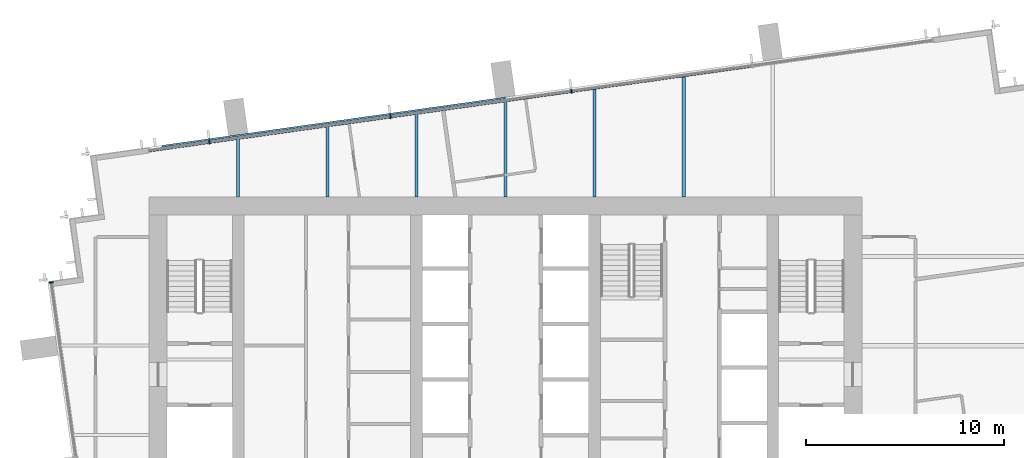
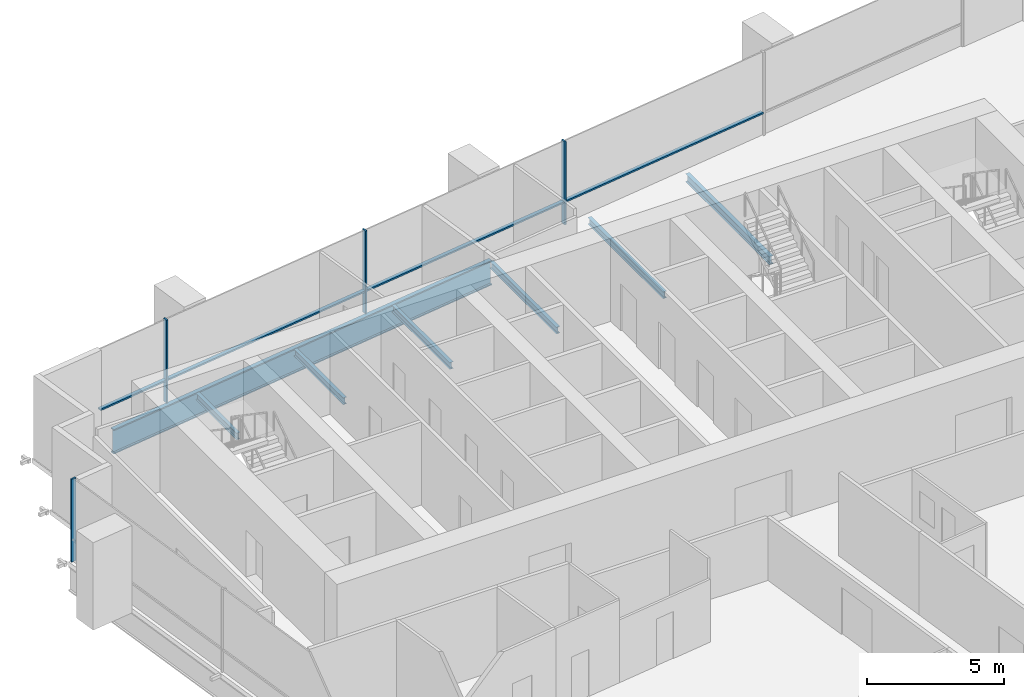
# One storey, part 6 of 14: 8 members, 7 beams, 2 elements without a shape of their own.
"""IFC4 building model written with IfcOpenShell, lengths in metres."""

from ifc_helpers import new_model, si_unit, direction, frame, origin, origin_2d, place, context, subcontext, project, spatial, rectangle, i_section, extrude, material, layer, layer_set, material_profile, profile_set, type_object, element, aggregate, save


model = new_model("IFC4")

# Units and contexts
model_context = context("Model", 3, precision=1e-05, world=origin(), true_north=direction((0.0, 1.0)))
body_context = subcontext(model_context, "Body", "Model", "MODEL_VIEW")
ifc_project = project(units=[si_unit("LENGTHUNIT", "METRE"), si_unit("AREAUNIT", "SQUARE_METRE"), si_unit("VOLUMEUNIT", "CUBIC_METRE"), si_unit("PLANEANGLEUNIT", "RADIAN"), si_unit("MASSUNIT", "GRAM", prefix="KILO")], contexts=[model_context])

# Site, building, storey
site_placement = place(None, origin())
site = spatial("IfcSite", under=ifc_project, at=site_placement, CompositionType="ELEMENT")
building_placement = place(site_placement, origin())
building = spatial("IfcBuilding", under=site, at=building_placement, Name="Rattan Terrace Tower", CompositionType="ELEMENT")
storey_placement = place(building_placement, frame((0.0, 0.0, 229.10009765625)))
storey = spatial("IfcBuildingStorey", under=building, at=storey_placement, Name="L52", CompositionType="ELEMENT", Elevation=229.10009765625)

# Beams
ifc_material_1 = material(Name="Steel S460", Category="steel")
ifc_material_profile_1 = material_profile(ifc_material_1, i_section(OverallWidth=0.179931640625, OverallDepth=1.10009765625, WebThickness=0.01611328125, FlangeThickness=0.050048828125, at=origin_2d()), Name="PG 1100x180-16-50")
ifc_profile_set_1 = profile_set([ifc_material_profile_1], Name="Steel S460")
beam_type_1 = type_object("IfcBeamType", Name="Frame edge girder PG 1100x180-16-50", PredefinedType="SPANDREL", material=ifc_profile_set_1)
beam_1_placement = place(storey_placement, frame((-17.347900390625, 10.031005859375, -0.75), z_axis=(0.990267797657, 0.13917502981, 0.0), x_axis=(-0.13917502981, 0.990267797657, 0.0)))
element("IfcBeam", 1, at=beam_1_placement, inside=storey, type_object=beam_type_1, Name="gdr-L52-005", PredefinedType="SPANDREL", context=body_context, shape_type="SweptSolid", body=[
    extrude(i_section(OverallWidth=0.179931640625, OverallDepth=1.10009765625, WebThickness=0.01611328125, FlangeThickness=0.050048828125, at=origin_2d()), origin(), (0.0, 0.0, 1.0), 17.531494140625),
])
ifc_material_2 = material(Name="Steel S355", Category="steel")
ifc_material_profile_2 = material_profile(ifc_material_2, i_section(OverallWidth=0.14990234375, OverallDepth=0.300048828125, WebThickness=0.007080078125, FlangeThickness=0.0107421875, FilletRadius=0.014892578125, at=origin_2d()), Name="IPE 300")
ifc_profile_set_2 = profile_set([ifc_material_profile_2], Name="Steel S355")
beam_type_2 = type_object("IfcBeamType", Name="Frame floor beam IPE 300", PredefinedType="JOIST", material=ifc_profile_set_2)
beam_2_placement = place(storey_placement, frame((-13.5, 7.5, -0.35009765625), z_axis=(0.0, 1.0, 0.0), x_axis=(-1.0, 0.0, 0.0)))
element("IfcBeam", 2, at=beam_2_placement, inside=storey, type_object=beam_type_2, Name="bm-L52-014", PredefinedType="JOIST", context=body_context, shape_type="SweptSolid", body=[
    extrude(i_section(OverallWidth=0.14990234375, OverallDepth=0.300048828125, WebThickness=0.007080078125, FlangeThickness=0.0107421875, FilletRadius=0.014892578125, at=origin_2d()), origin(), (0.0, 0.0, 1.0), 2.969970703125),
])
beam_3_placement = place(storey_placement, frame((-9.0, 7.5, -0.35009765625), z_axis=(0.0, 1.0, 0.0), x_axis=(-1.0, 0.0, 0.0)))
element("IfcBeam", 3, at=beam_3_placement, inside=storey, type_object=beam_type_2, Name="bm-L52-015", PredefinedType="JOIST", context=body_context, shape_type="SweptSolid", body=[
    extrude(i_section(OverallWidth=0.14990234375, OverallDepth=0.300048828125, WebThickness=0.007080078125, FlangeThickness=0.0107421875, FilletRadius=0.014892578125, at=origin_2d()), origin(), (0.0, 0.0, 1.0), 3.60302734375),
])
beam_4_placement = place(storey_placement, frame((-4.5, 7.5, -0.35009765625), z_axis=(0.0, 1.0, 0.0), x_axis=(-1.0, 0.0, 0.0)))
element("IfcBeam", 4, at=beam_4_placement, inside=storey, type_object=beam_type_2, Name="bm-L52-016", PredefinedType="JOIST", context=body_context, shape_type="SweptSolid", body=[
    extrude(i_section(OverallWidth=0.14990234375, OverallDepth=0.300048828125, WebThickness=0.007080078125, FlangeThickness=0.0107421875, FilletRadius=0.014892578125, at=origin_2d()), origin(), (0.0, 0.0, 1.0), 4.235107421875),
])
beam_5_placement = place(storey_placement, frame((0.0, 7.5, -0.35009765625), z_axis=(0.0, 1.0, 0.0), x_axis=(-1.0, 0.0, 0.0)))
element("IfcBeam", 5, at=beam_5_placement, inside=storey, type_object=beam_type_2, Name="bm-L52-017", PredefinedType="JOIST", context=body_context, shape_type="SweptSolid", body=[
    extrude(i_section(OverallWidth=0.14990234375, OverallDepth=0.300048828125, WebThickness=0.007080078125, FlangeThickness=0.0107421875, FilletRadius=0.014892578125, at=origin_2d()), origin(), (0.0, 0.0, 1.0), 4.867919921875),
])
beam_6_placement = place(storey_placement, frame((4.5, 7.5, -0.35009765625), z_axis=(0.0, 1.0, 0.0), x_axis=(-1.0, 0.0, 0.0)))
element("IfcBeam", 6, at=beam_6_placement, inside=storey, type_object=beam_type_2, Name="bm-L52-018", PredefinedType="JOIST", context=body_context, shape_type="SweptSolid", body=[
    extrude(i_section(OverallWidth=0.14990234375, OverallDepth=0.300048828125, WebThickness=0.007080078125, FlangeThickness=0.0107421875, FilletRadius=0.014892578125, at=origin_2d()), origin(), (0.0, 0.0, 1.0), 5.5),
])
ifc_material_3 = material(Name="Steel S355", Category="steel")
ifc_material_profile_3 = material_profile(ifc_material_3, i_section(OverallWidth=0.169921875, OverallDepth=0.360107421875, WebThickness=0.008056640625, FlangeThickness=0.0126953125, FilletRadius=0.01806640625, at=origin_2d()), Name="IPE 360")
ifc_profile_set_3 = profile_set([ifc_material_profile_3], Name="Steel S355")
beam_type_3 = type_object("IfcBeamType", Name="Frame floor beam IPE 360", PredefinedType="JOIST", material=ifc_profile_set_3)
beam_7_placement = place(storey_placement, frame((9.0, 7.5, -0.380126953125), z_axis=(0.0, 1.0, 0.0), x_axis=(-1.0, 0.0, 0.0)))
element("IfcBeam", 7, at=beam_7_placement, inside=storey, type_object=beam_type_3, Name="bm-L52-019", PredefinedType="JOIST", context=body_context, shape_type="SweptSolid", body=[
    extrude(i_section(OverallWidth=0.169921875, OverallDepth=0.360107421875, WebThickness=0.008056640625, FlangeThickness=0.0126953125, FilletRadius=0.01806640625, at=origin_2d()), origin(), (0.0, 0.0, 1.0), 6.131103515625),
])

# Curtain wall, members
ifc_material_4 = material(Name="Aluminium and laminated glass", Category="aluminium")
ifc_layer = layer(ifc_material_4, 0.199951171875)
ifc_layer_set = layer_set([ifc_layer], Name="High-Zone Unitised Curtain Wall")
curtain_wall_type = type_object("IfcCurtainWallType", Name="High-Zone Unitised Curtain Wall", PredefinedType="NOTDEFINED", material=ifc_layer_set)
curtain_wall_1_placement = place(storey_placement, origin())
curtain_wall_1 = element("IfcCurtainWall", 8, at=curtain_wall_1_placement, inside=storey, type_object=curtain_wall_type, Name="High-zone curtain wall L52-2", PredefinedType="NOTDEFINED")
ifc_material_5 = material(Name="Aluminium", Category="aluminium")
ifc_material_profile_4 = material_profile(ifc_material_5, rectangle(XDim=0.070068359375, YDim=0.199951171875, at=origin_2d()), Name="Aluminium 70x200")
ifc_profile_set_4 = profile_set([ifc_material_profile_4], Name="Aluminium")
member_type_1 = type_object("IfcMemberType", Name="High-Zone CW Mullion 70x200", PredefinedType="MULLION", material=ifc_profile_set_4)
member_1_placement = place(storey_placement, frame((3.332275390625, 12.856201171875, 0.0), z_axis=(0.0, 0.0, 1.0), x_axis=(-0.990267457022, -0.139177453499, 0.0)))
member_1 = element("IfcMember", 9, at=member_1_placement, type_object=member_type_1, Name="Mullion cwl-L52-002.3", PredefinedType="MULLION", context=body_context, shape_type="SweptSolid", body=[
    extrude(rectangle(XDim=0.070068359375, YDim=0.199951171875, at=origin_2d()), origin(), (0.0, 0.0, 1.0), 3.699951171875),
])
member_2_placement = place(storey_placement, frame((-5.808837890625, 11.571533203125, 0.0), z_axis=(0.0, 0.0, 1.0), x_axis=(-0.990267457022, -0.139177453499, 0.0)))
member_2 = element("IfcMember", 10, at=member_2_placement, type_object=member_type_1, Name="Mullion cwl-L52-002.4", PredefinedType="MULLION", context=body_context, shape_type="SweptSolid", body=[
    extrude(rectangle(XDim=0.070068359375, YDim=0.199951171875, at=origin_2d()), origin(), (0.0, 0.0, 1.0), 3.699951171875),
])
member_3_placement = place(storey_placement, frame((-14.949951171875, 10.28662109375, 0.0), z_axis=(0.0, 0.0, 1.0), x_axis=(-0.990267457022, -0.139177453499, 0.0)))
member_3 = element("IfcMember", 11, at=member_3_placement, type_object=member_type_1, Name="Mullion cwl-L52-002.5", PredefinedType="MULLION", context=body_context, shape_type="SweptSolid", body=[
    extrude(rectangle(XDim=0.070068359375, YDim=0.199951171875, at=origin_2d()), origin(), (0.0, 0.0, 1.0), 3.699951171875),
])

# Curtain wall, member
curtain_wall_2_placement = place(storey_placement, origin())
curtain_wall_2 = element("IfcCurtainWall", 12, at=curtain_wall_2_placement, inside=storey, type_object=curtain_wall_type, Name="High-zone curtain wall L52-3", PredefinedType="NOTDEFINED")
member_4_placement = place(storey_placement, frame((-22.946533203125, 3.1943359375, 0.0), z_axis=(0.0, 0.0, 1.0), x_axis=(0.139186165309, -0.990266232579, 0.0)))
member_4 = element("IfcMember", 13, at=member_4_placement, type_object=member_type_1, Name="Mullion cwl-L52-003.1", PredefinedType="MULLION", context=body_context, shape_type="SweptSolid", body=[
    extrude(rectangle(XDim=0.070068359375, YDim=0.199951171875, at=origin_2d()), origin(), (0.0, 0.0, 1.0), 3.699951171875),
])
aggregate(curtain_wall_2, [member_4])

# Member
ifc_material_6 = material(Name="Aluminium", Category="aluminium")
ifc_material_profile_5 = material_profile(ifc_material_6, rectangle(XDim=0.159912109375, YDim=0.070068359375, at=origin_2d()), Name="Aluminium 160x70")
ifc_profile_set_5 = profile_set([ifc_material_profile_5], Name="Aluminium")
member_type_2 = type_object("IfcMemberType", Name="High-Zone CW Transom 160x70", PredefinedType="USERDEFINED", material=ifc_profile_set_5)
member_5_placement = place(storey_placement, frame((12.438720703125, 14.135986328125, 1.0), z_axis=(-0.990268863305, -0.13916744723, 0.0), x_axis=(0.13916744723, -0.990268863305, 0.0)))
member_5 = element("IfcMember", 14, at=member_5_placement, type_object=member_type_2, Name="Transom cwl-L52-002.2", ObjectType="TRANSOM", PredefinedType="USERDEFINED", context=body_context, shape_type="SweptSolid", body=[
    extrude(rectangle(XDim=0.159912109375, YDim=0.070068359375, at=origin_2d()), origin(), (0.0, 0.0, 1.0), 9.160888671875),
])

member_6_placement = place(storey_placement, frame((3.297607421875, 12.851318359375, 1.0), z_axis=(-0.990265190222, -0.139193581154, 0.0), x_axis=(0.139193581154, -0.990265190222, 0.0)))
member_6 = element("IfcMember", 15, at=member_6_placement, type_object=member_type_2, Name="Transom cwl-L52-002.3", ObjectType="TRANSOM", PredefinedType="USERDEFINED", context=body_context, shape_type="SweptSolid", body=[
    extrude(rectangle(XDim=0.159912109375, YDim=0.070068359375, at=origin_2d()), origin(), (0.0, 0.0, 1.0), 9.160888671875),
])

member_7_placement = place(storey_placement, frame((-5.843505859375, 11.566650390625, 1.0), z_axis=(-0.990265190222, -0.139193581154, 0.0), x_axis=(0.139193581154, -0.990265190222, 0.0)))
member_7 = element("IfcMember", 16, at=member_7_placement, type_object=member_type_2, Name="Transom cwl-L52-002.4", ObjectType="TRANSOM", PredefinedType="USERDEFINED", context=body_context, shape_type="SweptSolid", body=[
    extrude(rectangle(XDim=0.159912109375, YDim=0.070068359375, at=origin_2d()), origin(), (0.0, 0.0, 1.0), 9.160888671875),
])

member_8_placement = place(storey_placement, frame((-14.984619140625, 10.28173828125, 1.0), z_axis=(-0.990269723995, -0.139161322712, 0.0), x_axis=(0.139161322712, -0.990269723995, 0.0)))
member_8 = element("IfcMember", 17, at=member_8_placement, type_object=member_type_2, Name="Transom cwl-L52-002.5", ObjectType="TRANSOM", PredefinedType="USERDEFINED", context=body_context, shape_type="SweptSolid", body=[
    extrude(rectangle(XDim=0.159912109375, YDim=0.070068359375, at=origin_2d()), origin(), (0.0, 0.0, 1.0), 3.040283203125),
])

aggregate(curtain_wall_1, [member_1, member_2, member_3, member_5, member_6, member_7, member_8])

save(model, "model.ifc")
